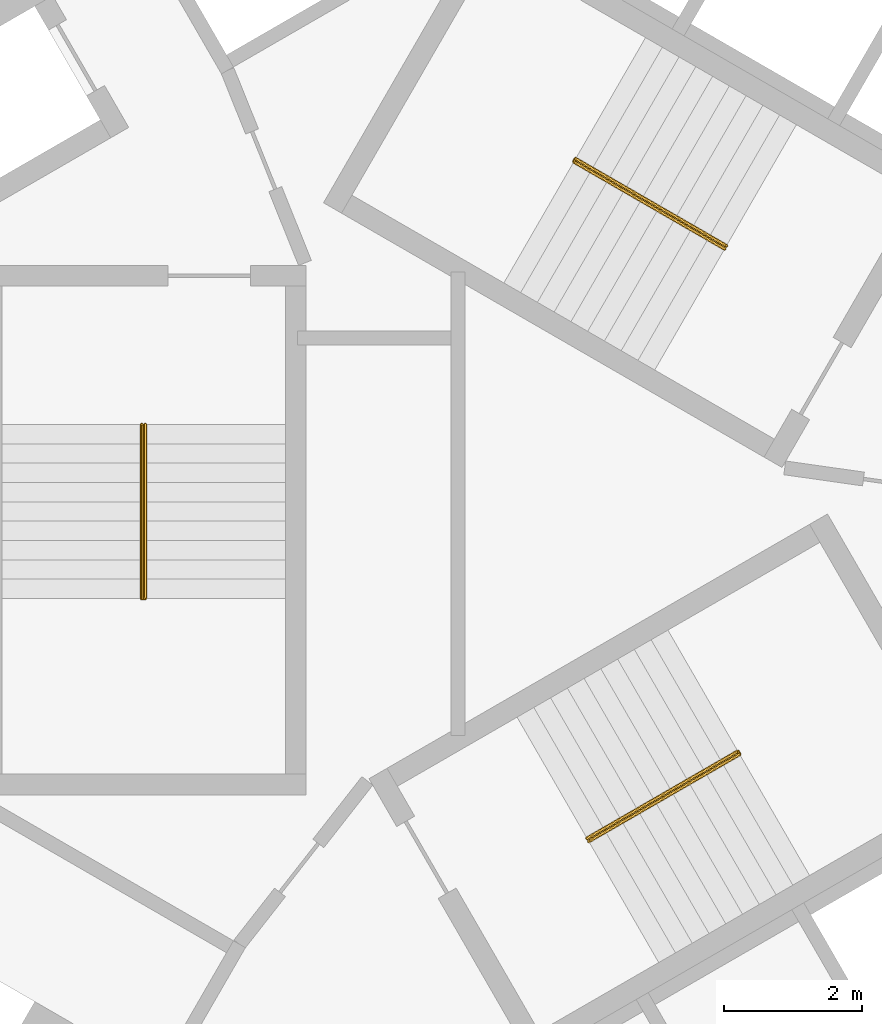
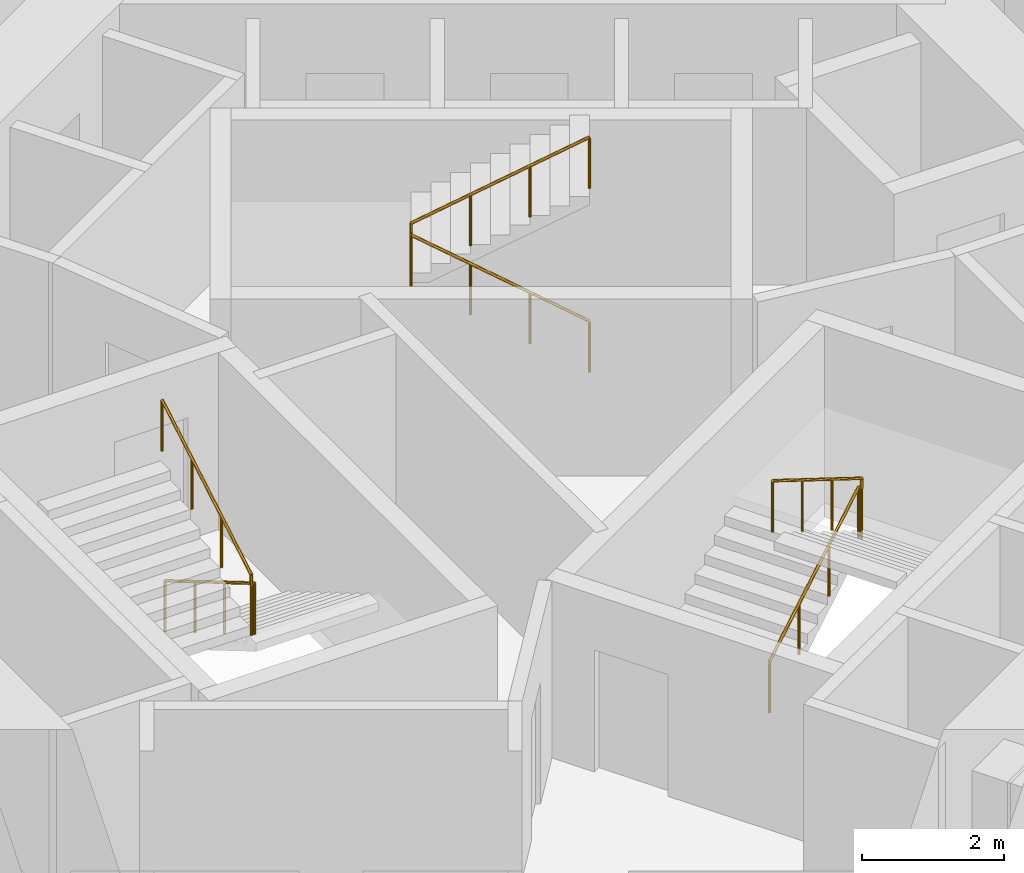
# One storey, part 12 of 12: 3 railings.
"""IFC4 building model written with IfcOpenShell, lengths in metres."""

from ifc_helpers import new_model, si_unit, direction, frame, origin, origin_2d, place, context, subcontext, project, spatial, circle, extrude, material, type_object, element, save


model = new_model("IFC4")

# Units and contexts
model_context = context("Model", 3, precision=1e-05, world=origin(), true_north=direction((0.0, 1.0)))
body_context = subcontext(model_context, "Body", "Model", "MODEL_VIEW")
ifc_project = project(units=[si_unit("LENGTHUNIT", "METRE"), si_unit("AREAUNIT", "SQUARE_METRE"), si_unit("VOLUMEUNIT", "CUBIC_METRE"), si_unit("PLANEANGLEUNIT", "RADIAN"), si_unit("MASSUNIT", "GRAM", prefix="KILO")], contexts=[model_context])

# Site, building, storey
site_placement = place(None, origin())
site = spatial("IfcSite", under=ifc_project, at=site_placement, CompositionType="ELEMENT")
building_placement = place(site_placement, origin())
building = spatial("IfcBuilding", under=site, at=building_placement, Name="Vanh Sen Convention Tower", CompositionType="ELEMENT")
storey_placement = place(building_placement, frame((0.0, 0.0, 44.0)))
storey = spatial("IfcBuildingStorey", under=building, at=storey_placement, Name="L07", CompositionType="ELEMENT", Elevation=44.0)

# Railings
ifc_material = material(Name="Stainless steel handrail", Category="steel")
railing_type = type_object("IfcRailingType", Name="Stair handrail 900", PredefinedType="HANDRAIL", material=ifc_material)
railing_1_placement = place(storey_placement, frame((3.45849609375, 3.690185546875, 0.1650390625)))
element("IfcRailing", 1, at=railing_1_placement, inside=storey, type_object=railing_type, Name="Stair handrail ST1 L07", PredefinedType="HANDRAIL", context=body_context, shape_type="SweptSolid", body=[
    extrude(circle(Radius=0.02392578125, at=origin_2d()), frame((0.0, 0.0, 0.8759765625), z_axis=(-0.746166161147, 0.430756550076, 0.507626688154), x_axis=(-0.499962843328, -0.866046855136, 0.0)), (0.0, 0.0, 1.0), 2.925048828125),
    extrude(circle(Radius=0.02392578125, at=origin_2d()), frame((-2.1826171875, 1.260009765625, 2.36083984375), z_axis=(0.502959906984, 0.86430974307, 0.0), x_axis=(-0.86430974307, 0.502959906984, 0.0)), (0.0, 0.0, 1.0), 0.050048828125),
    extrude(circle(Radius=0.02392578125, at=origin_2d()), frame((-2.157470703125, 1.30322265625, 2.36083984375), z_axis=(0.0, 0.0, 1.0), x_axis=(1.0, 0.0, 0.0)), (0.0, 0.0, 1.0), 0.1650390625),
    extrude(circle(Radius=0.02392578125, at=origin_2d()), frame((-2.157470703125, 1.30322265625, 2.52587890625), z_axis=(0.746097546679, -0.430765123438, 0.507720256902), x_axis=(0.500004791531, 0.866022637375, 0.0)), (0.0, 0.0, 1.0), 2.925048828125),
    extrude(circle(Radius=0.02099609375, at=origin_2d()), origin(), (0.0, 0.0, 1.0), 0.851806640625),
    extrude(circle(Radius=0.02099609375, at=origin_2d()), frame((-0.7275390625, 0.419921875, 0.494873046875)), (0.0, 0.0, 1.0), 0.851806640625),
    extrude(circle(Radius=0.02099609375, at=origin_2d()), frame((-1.455078125, 0.840087890625, 0.989990234375)), (0.0, 0.0, 1.0), 0.851806640625),
    extrude(circle(Radius=0.02099609375, at=origin_2d()), frame((-2.1826171875, 1.260009765625, 1.48486328125)), (0.0, 0.0, 1.0), 0.851806640625),
    extrude(circle(Radius=0.02099609375, at=origin_2d()), frame((-2.157470703125, 1.30322265625, 1.48486328125)), (0.0, 0.0, 1.0), 0.851806640625),
    extrude(circle(Radius=0.02099609375, at=origin_2d()), frame((-2.157470703125, 1.30322265625, 1.64990234375)), (0.0, 0.0, 1.0), 0.851806640625),
    extrude(circle(Radius=0.02099609375, at=origin_2d()), frame((-1.429931640625, 0.88330078125, 2.14501953125)), (0.0, 0.0, 1.0), 0.851806640625),
    extrude(circle(Radius=0.02099609375, at=origin_2d()), frame((-0.70263671875, 0.463134765625, 2.639892578125)), (0.0, 0.0, 1.0), 0.851806640625),
    extrude(circle(Radius=0.02099609375, at=origin_2d()), frame((0.02490234375, 0.043212890625, 3.135009765625)), (0.0, 0.0, 1.0), 0.851806640625),
])
railing_2_placement = place(storey_placement, frame((-4.925048828125, 1.14990234375, 0.1650390625)))
element("IfcRailing", 2, at=railing_2_placement, inside=storey, type_object=railing_type, Name="Stair handrail ST2 L07", PredefinedType="HANDRAIL", context=body_context, shape_type="SweptSolid", body=[
    extrude(circle(Radius=0.02392578125, at=origin_2d()), frame((0.0, 0.0, 0.8759765625), z_axis=(0.0, -0.861560626758, 0.507654692109), x_axis=(1.0, 0.0, 0.0)), (0.0, 0.0, 1.0), 2.925048828125),
    extrude(circle(Radius=0.02392578125, at=origin_2d()), frame((0.0, -2.52001953125, 2.36083984375), z_axis=(-1.0, 0.0, 0.0), x_axis=(0.0, -1.0, 0.0)), (0.0, 0.0, 1.0), 0.050048828125),
    extrude(circle(Radius=0.02392578125, at=origin_2d()), frame((-0.050048828125, -2.52001953125, 2.36083984375), z_axis=(0.0, 0.0, 1.0), x_axis=(1.0, 0.0, 0.0)), (0.0, 0.0, 1.0), 0.1650390625),
    extrude(circle(Radius=0.02392578125, at=origin_2d()), frame((-0.050048828125, -2.52001953125, 2.52587890625), z_axis=(0.0, 0.86152411907, 0.507716645641), x_axis=(-1.0, 0.0, 0.0)), (0.0, 0.0, 1.0), 2.925048828125),
    extrude(circle(Radius=0.02099609375, at=origin_2d()), origin(), (0.0, 0.0, 1.0), 0.851806640625),
    extrude(circle(Radius=0.02099609375, at=origin_2d()), frame((0.0, -0.840087890625, 0.494873046875)), (0.0, 0.0, 1.0), 0.851806640625),
    extrude(circle(Radius=0.02099609375, at=origin_2d()), frame((0.0, -1.679931640625, 0.989990234375)), (0.0, 0.0, 1.0), 0.851806640625),
    extrude(circle(Radius=0.02099609375, at=origin_2d()), frame((0.0, -2.52001953125, 1.48486328125)), (0.0, 0.0, 1.0), 0.851806640625),
    extrude(circle(Radius=0.02099609375, at=origin_2d()), frame((-0.050048828125, -2.52001953125, 1.48486328125)), (0.0, 0.0, 1.0), 0.851806640625),
    extrude(circle(Radius=0.02099609375, at=origin_2d()), frame((-0.050048828125, -2.52001953125, 1.64990234375)), (0.0, 0.0, 1.0), 0.851806640625),
    extrude(circle(Radius=0.02099609375, at=origin_2d()), frame((-0.050048828125, -1.679931640625, 2.14501953125)), (0.0, 0.0, 1.0), 0.851806640625),
    extrude(circle(Radius=0.02099609375, at=origin_2d()), frame((-0.050048828125, -0.840087890625, 2.639892578125)), (0.0, 0.0, 1.0), 0.851806640625),
    extrude(circle(Radius=0.02099609375, at=origin_2d()), frame((-0.050048828125, 0.0, 3.135009765625)), (0.0, 0.0, 1.0), 0.851806640625),
])
railing_3_placement = place(storey_placement, frame((1.466552734375, -4.840087890625, 0.1650390625)))
element("IfcRailing", 3, at=railing_3_placement, inside=storey, type_object=railing_type, Name="Stair handrail ST3 L07", PredefinedType="HANDRAIL", context=body_context, shape_type="SweptSolid", body=[
    extrude(circle(Radius=0.02392578125, at=origin_2d()), frame((0.0, 0.0, 0.8759765625), z_axis=(0.746129163535, 0.430783377672, 0.507658303235), x_axis=(-0.500004791531, 0.866022637375, 0.0)), (0.0, 0.0, 1.0), 2.9248046875),
    extrude(circle(Radius=0.02392578125, at=origin_2d()), frame((2.182373046875, 1.260009765625, 2.36083984375), z_axis=(0.500844580232, -0.86553723574, 0.0), x_axis=(0.86553723574, 0.500844580232, 0.0)), (0.0, 0.0, 1.0), 0.05029296875),
    extrude(circle(Radius=0.02392578125, at=origin_2d()), frame((2.20751953125, 1.216552734375, 2.36083984375), z_axis=(0.0, 0.0, 1.0), x_axis=(1.0, 0.0, 0.0)), (0.0, 0.0, 1.0), 0.1650390625),
    extrude(circle(Radius=0.02392578125, at=origin_2d()), frame((2.20751953125, 1.216552734375, 2.52587890625), z_axis=(-0.746097546679, -0.430765123438, 0.507720256902), x_axis=(0.500004791531, -0.866022637375, 0.0)), (0.0, 0.0, 1.0), 2.925048828125),
    extrude(circle(Radius=0.02099609375, at=origin_2d()), origin(), (0.0, 0.0, 1.0), 0.851806640625),
    extrude(circle(Radius=0.02099609375, at=origin_2d()), frame((0.7275390625, 0.419921875, 0.494873046875)), (0.0, 0.0, 1.0), 0.851806640625),
    extrude(circle(Radius=0.02099609375, at=origin_2d()), frame((1.454833984375, 0.840087890625, 0.989990234375)), (0.0, 0.0, 1.0), 0.851806640625),
    extrude(circle(Radius=0.02099609375, at=origin_2d()), frame((2.182373046875, 1.260009765625, 1.48486328125)), (0.0, 0.0, 1.0), 0.851806640625),
    extrude(circle(Radius=0.02099609375, at=origin_2d()), frame((2.20751953125, 1.216552734375, 1.48486328125)), (0.0, 0.0, 1.0), 0.851806640625),
    extrude(circle(Radius=0.02099609375, at=origin_2d()), frame((2.20751953125, 1.216552734375, 1.64990234375)), (0.0, 0.0, 1.0), 0.851806640625),
    extrude(circle(Radius=0.02099609375, at=origin_2d()), frame((1.47998046875, 0.796630859375, 2.14501953125)), (0.0, 0.0, 1.0), 0.851806640625),
    extrude(circle(Radius=0.02099609375, at=origin_2d()), frame((0.752685546875, 0.37646484375, 2.639892578125)), (0.0, 0.0, 1.0), 0.851806640625),
    extrude(circle(Radius=0.02099609375, at=origin_2d()), frame((0.025146484375, -0.04345703125, 3.135009765625)), (0.0, 0.0, 1.0), 0.851806640625),
])

save(model, "model.ifc")
